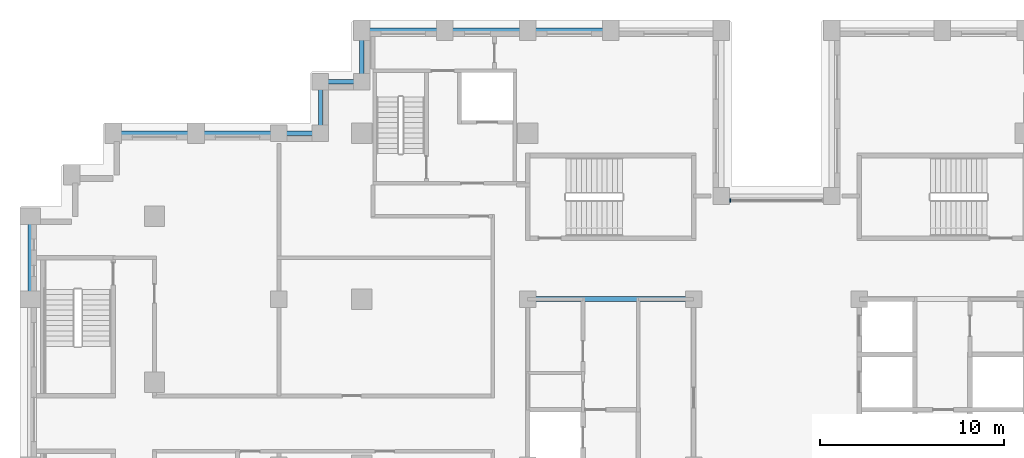
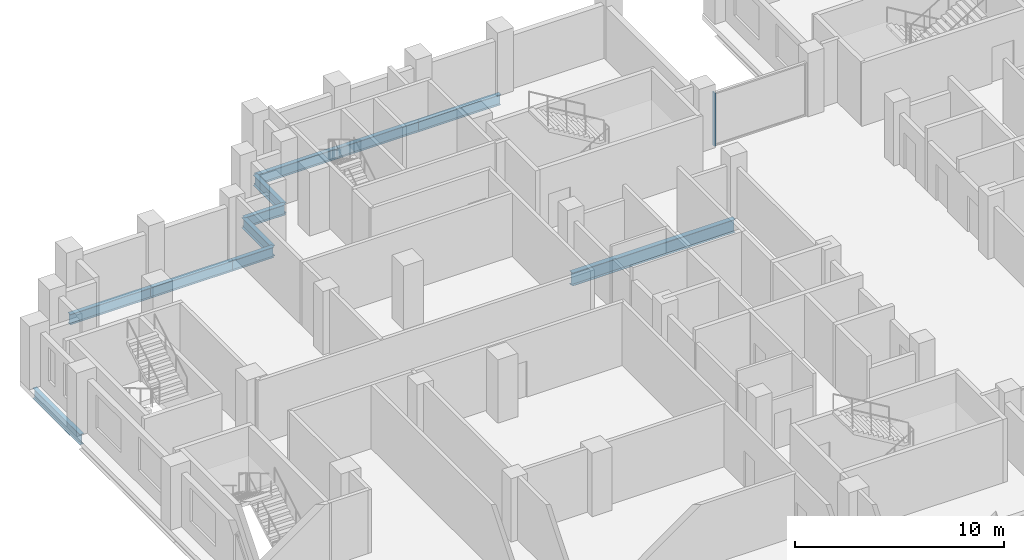
# One storey, part 3 of 15: 11 beams, 1 member, 1 element without a shape of its own.
"""IFC4 building model written with IfcOpenShell, lengths in metres."""

from ifc_helpers import new_model, si_unit, direction, frame, origin, origin_2d, place, context, subcontext, project, spatial, rectangle, i_section, extrude, material, layer, layer_set, material_profile, profile_set, type_object, element, aggregate, save


model = new_model("IFC4")

# Units and contexts
model_context = context("Model", 3, precision=1e-05, world=origin(), true_north=direction((0.0, 1.0)))
body_context = subcontext(model_context, "Body", "Model", "MODEL_VIEW")
ifc_project = project(units=[si_unit("LENGTHUNIT", "METRE"), si_unit("AREAUNIT", "SQUARE_METRE"), si_unit("VOLUMEUNIT", "CUBIC_METRE"), si_unit("PLANEANGLEUNIT", "RADIAN"), si_unit("MASSUNIT", "GRAM", prefix="KILO")], contexts=[model_context])

# Site, building, storey
site_placement = place(None, origin())
site = spatial("IfcSite", under=ifc_project, at=site_placement, CompositionType="ELEMENT")
building_placement = place(site_placement, origin())
building = spatial("IfcBuilding", under=site, at=building_placement, Name="Corbelhall Arena Tower", CompositionType="ELEMENT")
storey_placement = place(building_placement, frame((0.0, 0.0, 146.0)))
storey = spatial("IfcBuildingStorey", under=building, at=storey_placement, Name="L28", CompositionType="ELEMENT", Elevation=146.0)

# Curtain wall, member
ifc_material_1 = material(Name="Aluminium black anodised", Category="aluminium")
ifc_layer = layer(ifc_material_1, 0.199951171875)
ifc_layer_set = layer_set([ifc_layer], Name="EV-CW1 Slot back wall")
curtain_wall_type = type_object("IfcCurtainWallType", Name="EV-CW1 Slot back wall", PredefinedType="NOTDEFINED", material=ifc_layer_set)
curtain_wall_placement = place(storey_placement, origin())
curtain_wall = element("IfcCurtainWall", 1, at=curtain_wall_placement, inside=storey, type_object=curtain_wall_type, Name="Curtain wall CW1", PredefinedType="NOTDEFINED")
ifc_material_profile_1 = material_profile(ifc_material_1, rectangle(XDim=0.199951171875, YDim=0.074951171875, at=origin_2d()))
ifc_profile_set_1 = profile_set([ifc_material_profile_1], Name="Aluminium black anodised")
member_type = type_object("IfcMemberType", Name="EV-CW1-MULLION", PredefinedType="MULLION", material=ifc_profile_set_1)
member_placement = place(storey_placement, frame((-2.512451171875, 14.35009765625, 0.0), z_axis=(0.0, 0.0, 1.0), x_axis=(0.0, -1.0, 0.0)))
member = element("IfcMember", 2, at=member_placement, type_object=member_type, Name="CW1 mullion 2", PredefinedType="MULLION", context=body_context, shape_type="SweptSolid", body=[
    extrude(rectangle(XDim=0.199951171875, YDim=0.074951171875, at=origin_2d()), origin(), (0.0, 0.0, 1.0), 3.10009765625),
])
aggregate(curtain_wall, [member])

# Beams
ifc_material_2 = material(Name="Steel ASTM A992 Gr50", Category="steel")
ifc_material_profile_2 = material_profile(ifc_material_2, i_section(OverallWidth=0.2666015625, OverallDepth=0.761962890625, WebThickness=0.014404296875, FlangeThickness=0.021484375, at=origin_2d()))
ifc_profile_set_2 = profile_set([ifc_material_profile_2], Name="Steel ASTM A992 Gr50")
beam_type_1 = type_object("IfcBeamType", Name="ST-BEAM-W30x116", PredefinedType="BEAM", material=ifc_profile_set_2)
beam_1_placement = place(storey_placement, frame((-13.5, 9.0, -0.680908203125), z_axis=(1.0, 0.0, 0.0), x_axis=(0.0, 1.0, 0.0)))
element("IfcBeam", 3, at=beam_1_placement, inside=storey, type_object=beam_type_1, Name="Beam CEW 6", PredefinedType="BEAM", context=body_context, shape_type="SweptSolid", body=[
    extrude(i_section(OverallWidth=0.2666015625, OverallDepth=0.761962890625, WebThickness=0.014404296875, FlangeThickness=0.021484375, at=origin_2d()), origin(), (0.0, 0.0, 1.0), 9.0),
])
ifc_material_profile_3 = material_profile(ifc_material_2, i_section(OverallWidth=0.22900390625, OverallDepth=0.612060546875, WebThickness=0.011962890625, FlangeThickness=0.01953125, at=origin_2d()))
ifc_profile_set_3 = profile_set([ifc_material_profile_3], Name="Steel ASTM A992 Gr50")
beam_type_2 = type_object("IfcBeamType", Name="ST-SPANDREL-W24x84", PredefinedType="SPANDREL", material=ifc_profile_set_3)
for number, where, z_axis, x_axis, name in (
    (4, (-40.5, 9.0, -0.60595703125), (0.0, 1.0, 0.0), (-1.0, 0.0, 0.0), "Beam SP 2"),
    (5, (-31.5, 18.0, -0.60595703125), (1.0, 0.0, 0.0), (0.0, 1.0, 0.0), "Beam SP 5"),
    (6, (-36.0, 18.0, -0.60595703125), (1.0, 0.0, 0.0), (0.0, 1.0, 0.0), "Beam SP 6"),
    (7, (-13.5, 23.60009765625, -0.60595703125), (1.0, 0.0, 0.0), (0.0, 1.0, 0.0), "Beam SP 24"),
    (8, (-18.0, 23.60009765625, -0.60595703125), (1.0, 0.0, 0.0), (0.0, 1.0, 0.0), "Beam SP 25"),
    (9, (-22.5, 23.60009765625, -0.60595703125), (1.0, 0.0, 0.0), (0.0, 1.0, 0.0), "Beam SP 26"),
):
    element("IfcBeam", number, at=place(storey_placement, frame(where, z_axis=z_axis, x_axis=x_axis)), inside=storey, type_object=beam_type_2, Name=name, PredefinedType="SPANDREL", context=body_context, shape_type="SweptSolid", body=[
        extrude(i_section(OverallWidth=0.22900390625, OverallDepth=0.612060546875, WebThickness=0.011962890625, FlangeThickness=0.01953125, at=origin_2d()), origin(), (0.0, 0.0, 1.0), 4.5),
    ])
beam_2_placement = place(storey_placement, frame((-27.0, 18.0, -0.60595703125), z_axis=(1.0, 0.0, 0.0), x_axis=(0.0, 1.0, 0.0)))
element("IfcBeam", 10, at=beam_2_placement, inside=storey, type_object=beam_type_2, Name="Beam SP 37", PredefinedType="SPANDREL", context=body_context, shape_type="SweptSolid", body=[
    extrude(i_section(OverallWidth=0.22900390625, OverallDepth=0.612060546875, WebThickness=0.011962890625, FlangeThickness=0.01953125, at=origin_2d()), origin(), (0.0, 0.0, 1.0), 2.25),
])
beam_3_placement = place(storey_placement, frame((-22.5, 20.800048828125, -0.60595703125), z_axis=(0.0, 1.0, 0.0), x_axis=(-1.0, 0.0, 0.0)))
element("IfcBeam", 11, at=beam_3_placement, inside=storey, type_object=beam_type_2, Name="Beam SP 46", PredefinedType="SPANDREL", context=body_context, shape_type="SweptSolid", body=[
    extrude(i_section(OverallWidth=0.22900390625, OverallDepth=0.612060546875, WebThickness=0.011962890625, FlangeThickness=0.01953125, at=origin_2d()), origin(), (0.0, 0.0, 1.0), 2.800048828125),
])
beam_4_placement = place(storey_placement, frame((-24.75, 20.800048828125, -0.60595703125), z_axis=(1.0, 0.0, 0.0), x_axis=(0.0, 1.0, 0.0)))
element("IfcBeam", 12, at=beam_4_placement, inside=storey, type_object=beam_type_2, Name="Beam SP 47", PredefinedType="SPANDREL", context=body_context, shape_type="SweptSolid", body=[
    extrude(i_section(OverallWidth=0.22900390625, OverallDepth=0.612060546875, WebThickness=0.011962890625, FlangeThickness=0.01953125, at=origin_2d()), origin(), (0.0, 0.0, 1.0), 2.25),
])
beam_5_placement = place(storey_placement, frame((-24.75, 18.0, -0.60595703125), z_axis=(0.0, 1.0, 0.0), x_axis=(-1.0, 0.0, 0.0)))
element("IfcBeam", 13, at=beam_5_placement, inside=storey, type_object=beam_type_2, Name="Beam SP 48", PredefinedType="SPANDREL", context=body_context, shape_type="SweptSolid", body=[
    extrude(i_section(OverallWidth=0.22900390625, OverallDepth=0.612060546875, WebThickness=0.011962890625, FlangeThickness=0.01953125, at=origin_2d()), origin(), (0.0, 0.0, 1.0), 2.800048828125),
])

save(model, "model.ifc")
